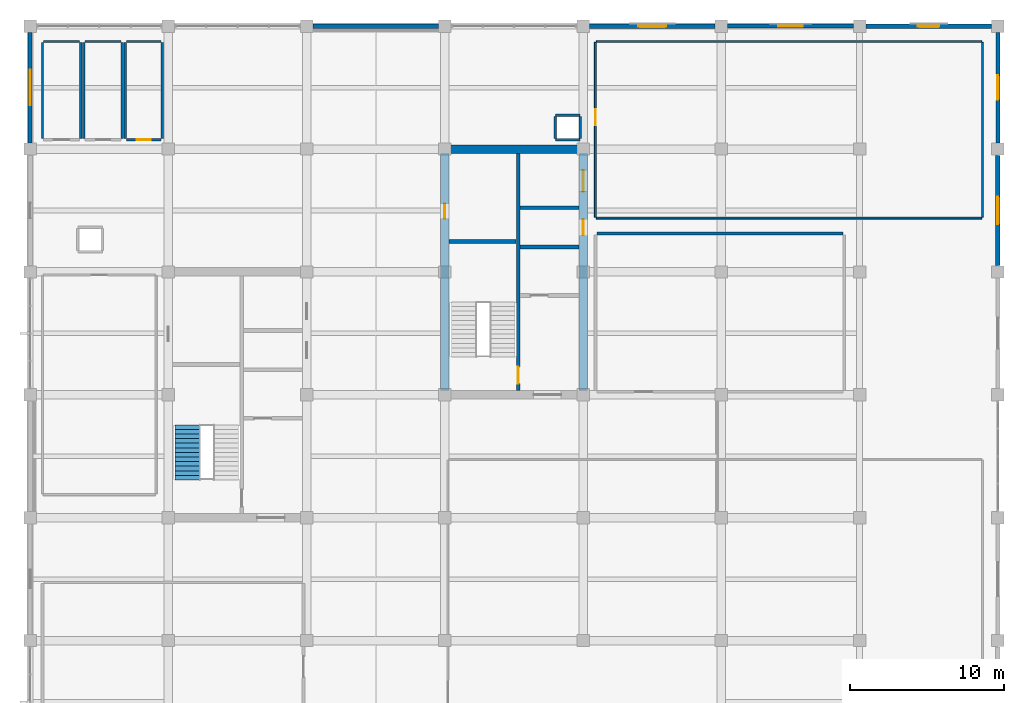
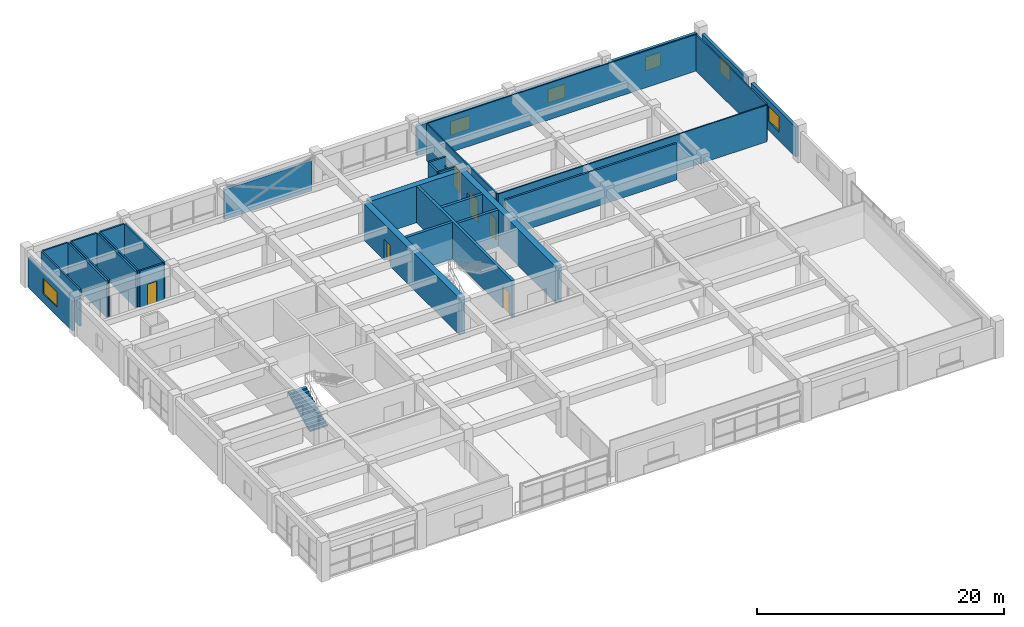
# One storey, part 14 of 16: 33 walls, 6 doors, 6 windows, 1 stair flight, 12 openings, 1 element without a shape of its own.
"""IFC4 building model written with IfcOpenShell, lengths in metres."""

from ifc_helpers import new_model, si_unit, direction, frame, frame_2d, origin, place, context, subcontext, project, spatial, polyline, rectangle, outline, extrude, material, layer, layer_set, type_object, element, fill, aggregate, save


model = new_model("IFC4")

# Units and contexts
model_context = context("Model", 3, precision=1e-05, world=origin(), true_north=direction((0.0, 1.0)))
body_context = subcontext(model_context, "Body", "Model", "MODEL_VIEW")
ifc_project = project(units=[si_unit("LENGTHUNIT", "METRE"), si_unit("AREAUNIT", "SQUARE_METRE"), si_unit("VOLUMEUNIT", "CUBIC_METRE"), si_unit("PLANEANGLEUNIT", "RADIAN"), si_unit("MASSUNIT", "GRAM", prefix="KILO")], contexts=[model_context])

# Site, building, storey
site_placement = place(None, origin())
site = spatial("IfcSite", under=ifc_project, at=site_placement, CompositionType="ELEMENT")
building_placement = place(site_placement, origin())
building = spatial("IfcBuilding", under=site, at=building_placement, Name="Zaverband Oceanarium and Marine Research Institute", CompositionType="ELEMENT")
storey_placement = place(building_placement, frame((0.0, 0.0, 41.39990234375)))
storey = spatial("IfcBuildingStorey", under=building, at=storey_placement, Name="L10", CompositionType="ELEMENT", Elevation=41.39990234375)

# Wall
ifc_material_1 = material(Name="Concrete C50/60", Category="concrete")
ifc_layer_1 = layer(ifc_material_1, 0.550048828125, Name="Concrete C50/60")
ifc_layer_set_1 = layer_set([ifc_layer_1], Name="Concrete C50/60")
wall_type_1 = type_object("IfcWallType", Name="CW-01", PredefinedType="SHEAR", material=ifc_layer_set_1)
wall_1_placement = place(storey_placement, frame((36.27490234375, 104.0, 0.0), z_axis=(0.0, 0.0, 1.0), x_axis=(1.0, 0.0, 0.0)))
element("IfcWall", 1, at=wall_1_placement, inside=storey, type_object=wall_type_1, Name="Structural shear wall CW-01", PredefinedType="SHEAR", context=body_context, shape_type="SweptSolid", body=[
    extrude(rectangle(XDim=8.4501953125, YDim=0.550048828125, at=frame_2d((4.22509765625, 0.0))), origin(), (0.0, 0.0, 1.0), 3.6201171875),
])

# Wall, opening, door
wall_2_placement = place(storey_placement, frame((36.0, 88.27490234375, 0.0), z_axis=(0.0, 0.0, 1.0), x_axis=(0.0, 1.0, 0.0)))
wall_2 = element("IfcWall", 2, at=wall_2_placement, inside=storey, type_object=wall_type_1, Name="Structural shear wall CW-01", PredefinedType="SHEAR", context=body_context, shape_type="SweptSolid", body=[
    extrude(rectangle(XDim=15.4501953125, YDim=0.550048828125, at=frame_2d((7.72509765625, 0.0))), origin(), (0.0, 0.0, 1.0), 3.6201171875),
])
opening_1_placement = place(wall_2_placement, frame((11.199951171875, 0.0, 0.0)))
opening_1 = element("IfcOpeningElement", 3, at=opening_1_placement, cuts=wall_2, Name="Opening FD-03", PredefinedType="OPENING", context=body_context, shape_type="SweptSolid", body=[
    extrude(rectangle(XDim=0.949951171875, YDim=2.10009765625, at=frame_2d((0.47509765625, 1.050048828125))), frame((0.0, 0.287109375, 0.0), z_axis=(0.0, -1.0, 0.0), x_axis=(1.0, 0.0, 0.0)), (0.0, 0.0, 1.0), 0.573974609375),
])
ifc_material_2 = material(Name="Steel S355", Category="steel")
door_type_1 = type_object("IfcDoorType", Name="FD-03", OperationType="NOTDEFINED", PredefinedType="DOOR", material=ifc_material_2)
door_1_placement = place(opening_1_placement, origin())
door_1 = element("IfcDoor", 4, at=door_1_placement, inside=storey, type_object=door_type_1, Name="Service riser access fire door FD-03", OperationType="SINGLE_SWING_RIGHT", OverallHeight=2.10009765625, OverallWidth=0.949951171875, PredefinedType="DOOR", context=body_context, shape_type="SweptSolid", body=[
    extrude(rectangle(XDim=0.949951171875, YDim=2.10009765625, at=frame_2d((0.47509765625, 1.050048828125))), frame((0.0, 0.02490234375, 0.0), z_axis=(0.0, -1.0, 0.0), x_axis=(1.0, 0.0, 0.0)), (0.0, 0.0, 1.0), 0.050048828125),
])
fill(opening_1, door_1)

# Wall, openings, doors
wall_3_placement = place(storey_placement, frame((45.0, 88.27490234375, 0.0), z_axis=(0.0, 0.0, 1.0), x_axis=(0.0, 1.0, 0.0)))
wall_3 = element("IfcWall", 5, at=wall_3_placement, inside=storey, type_object=wall_type_1, Name="Structural shear wall CW-01", PredefinedType="SHEAR", context=body_context, shape_type="SweptSolid", body=[
    extrude(rectangle(XDim=15.4501953125, YDim=0.550048828125, at=frame_2d((7.72509765625, 0.0))), origin(), (0.0, 0.0, 1.0), 3.6201171875),
])
opening_2_placement = place(wall_3_placement, frame((10.10009765625, 0.0, 0.0)))
opening_2 = element("IfcOpeningElement", 6, at=opening_2_placement, cuts=wall_3, Name="Opening LD-02", PredefinedType="OPENING", context=body_context, shape_type="SweptSolid", body=[
    extrude(rectangle(XDim=1.050048828125, YDim=2.1201171875, at=frame_2d((0.52490234375, 1.06005859375))), frame((0.0, 0.287109375, 0.0), z_axis=(0.0, -1.0, 0.0), x_axis=(1.0, 0.0, 0.0)), (0.0, 0.0, 1.0), 0.573974609375),
])
opening_3_placement = place(wall_3_placement, frame((12.949951171875, 0.0, 0.0)))
opening_3 = element("IfcOpeningElement", 7, at=opening_3_placement, cuts=wall_3, Name="Opening LD-03", PredefinedType="OPENING", context=body_context, shape_type="SweptSolid", body=[
    extrude(rectangle(XDim=1.39990234375, YDim=2.199951171875, at=frame_2d((0.699951171875, 1.10009765625))), frame((0.0, 0.287109375, 0.0), z_axis=(0.0, -1.0, 0.0), x_axis=(1.0, 0.0, 0.0)), (0.0, 0.0, 1.0), 0.573974609375),
])
door_type_2 = type_object("IfcDoorType", Name="LD-02", OperationType="DOUBLE_DOOR_SLIDING", PredefinedType="DOOR", material=ifc_material_2)
door_2_placement = place(opening_2_placement, origin())
door_2 = element("IfcDoor", 8, at=door_2_placement, inside=storey, type_object=door_type_2, Name="Passenger lift sliding landing door LD-02", OperationType="DOUBLE_DOOR_SLIDING", OverallHeight=2.1201171875, OverallWidth=1.050048828125, PredefinedType="DOOR", context=body_context, shape_type="SweptSolid", body=[
    extrude(rectangle(XDim=1.050048828125, YDim=2.1201171875, at=frame_2d((0.52490234375, 1.06005859375))), frame((0.0, 0.02490234375, 0.0), z_axis=(0.0, -1.0, 0.0), x_axis=(1.0, 0.0, 0.0)), (0.0, 0.0, 1.0), 0.050048828125),
])
fill(opening_2, door_2)
door_type_3 = type_object("IfcDoorType", Name="LD-03", OperationType="DOUBLE_DOOR_SLIDING", PredefinedType="DOOR", material=ifc_material_2)
door_3_placement = place(opening_3_placement, origin())
door_3 = element("IfcDoor", 9, at=door_3_placement, inside=storey, type_object=door_type_3, Name="Specimen goods lift sliding landing door LD-03", OperationType="DOUBLE_DOOR_SLIDING", OverallHeight=2.199951171875, OverallWidth=1.39990234375, PredefinedType="DOOR", context=body_context, shape_type="SweptSolid", body=[
    extrude(rectangle(XDim=1.39990234375, YDim=2.199951171875, at=frame_2d((0.699951171875, 1.10009765625))), frame((0.0, 0.02490234375, 0.0), z_axis=(0.0, -1.0, 0.0), x_axis=(1.0, 0.0, 0.0)), (0.0, 0.0, 1.0), 0.050048828125),
])
fill(opening_3, door_3)

# Wall, opening, window
ifc_material_3 = material(Name="Concrete C40/50 precast", Category="concrete")
ifc_layer_2 = layer(ifc_material_3, 0.264892578125, Name="Concrete C40/50 precast")
ifc_layer_set_2 = layer_set([ifc_layer_2], Name="Concrete C40/50 precast")
wall_type_2 = type_object("IfcWallType", Name="EW-265", PredefinedType="STANDARD", material=ifc_layer_set_2)
wall_4_placement = place(storey_placement, frame((54.405029296875, 112.0, 0.0), z_axis=(0.0, 0.0, 1.0), x_axis=(1.0, 0.0, 0.0)))
wall_4 = element("IfcWall", 10, at=wall_4_placement, inside=storey, type_object=wall_type_2, Name="Exterior infill wall EW-265", PredefinedType="STANDARD", context=body_context, shape_type="SweptSolid", body=[
    extrude(rectangle(XDim=8.18994140625, YDim=0.264892578125, at=frame_2d((4.094970703125, 0.0))), origin(), (0.0, 0.0, 1.0), 2.9501953125),
])
opening_4_placement = place(wall_4_placement, frame((3.294921875, 0.0, 0.85009765625)))
opening_4 = element("IfcOpeningElement", 11, at=opening_4_placement, cuts=wall_4, Name="Opening WN-1600x1350", PredefinedType="OPENING", context=body_context, shape_type="SweptSolid", body=[
    extrude(rectangle(XDim=1.60009765625, YDim=1.35009765625, at=frame_2d((0.800048828125, 0.675048828125))), frame((0.0, 0.14453125, 0.0), z_axis=(0.0, -1.0, 0.0), x_axis=(1.0, 0.0, 0.0)), (0.0, 0.0, 1.0), 0.288818359375),
])
ifc_material_4 = material(Name="Thermally broken anodized aluminium and solar-control glass", Category="aluminium")
window_type_1 = type_object("IfcWindowType", Name="WN-1600x1350", PartitioningType="SINGLE_PANEL", PredefinedType="WINDOW", material=ifc_material_4)
window_1_placement = place(opening_4_placement, origin())
window_1 = element("IfcWindow", 12, at=window_1_placement, inside=storey, type_object=window_type_1, Name="Fixed / casement exterior window WN-1600x1350", OverallHeight=1.35009765625, OverallWidth=1.60009765625, PartitioningType="SINGLE_PANEL", PredefinedType="WINDOW", context=body_context, shape_type="SweptSolid", body=[
    extrude(rectangle(XDim=1.60009765625, YDim=1.35009765625, at=frame_2d((0.800048828125, 0.675048828125))), frame((0.0, 0.030029296875, 0.0), z_axis=(0.0, -1.0, 0.0), x_axis=(1.0, 0.0, 0.0)), (0.0, 0.0, 1.0), 0.06005859375),
])
fill(opening_4, window_1)

wall_5_placement = place(storey_placement, frame((9.0, 104.405029296875, 0.0), z_axis=(0.0, 0.0, 1.0), x_axis=(0.0, 1.0, 0.0)))
wall_5 = element("IfcWall", 13, at=wall_5_placement, inside=storey, type_object=wall_type_2, Name="Exterior infill wall EW-265", PredefinedType="STANDARD", context=body_context, shape_type="SweptSolid", body=[
    extrude(rectangle(XDim=7.18994140625, YDim=0.264892578125, at=frame_2d((3.594970703125, 0.0))), origin(), (0.0, 0.0, 1.0), 2.9501953125),
])
opening_5_placement = place(wall_5_placement, frame((2.445068359375, 0.0, 0.85009765625)))
opening_5 = element("IfcOpeningElement", 14, at=opening_5_placement, cuts=wall_5, Name="Opening WN-2300x1500", PredefinedType="OPENING", context=body_context, shape_type="SweptSolid", body=[
    extrude(rectangle(XDim=2.300048828125, YDim=1.5, at=frame_2d((1.14990234375, 0.75))), frame((0.0, 0.14453125, 0.0), z_axis=(0.0, -1.0, 0.0), x_axis=(1.0, 0.0, 0.0)), (0.0, 0.0, 1.0), 0.288818359375),
])
window_type_2 = type_object("IfcWindowType", Name="WN-2300x1500", PartitioningType="SINGLE_PANEL", PredefinedType="WINDOW", material=ifc_material_4)
window_2_placement = place(opening_5_placement, origin())
window_2 = element("IfcWindow", 15, at=window_2_placement, inside=storey, type_object=window_type_2, Name="Fixed / casement exterior window WN-2300x1500", OverallHeight=1.5, OverallWidth=2.300048828125, PartitioningType="SINGLE_PANEL", PredefinedType="WINDOW", context=body_context, shape_type="SweptSolid", body=[
    extrude(rectangle(XDim=2.300048828125, YDim=1.5, at=frame_2d((1.14990234375, 0.75))), frame((0.0, 0.030029296875, 0.0), z_axis=(0.0, -1.0, 0.0), x_axis=(1.0, 0.0, 0.0)), (0.0, 0.0, 1.0), 0.06005859375),
])
fill(opening_5, window_2)

wall_6_placement = place(storey_placement, frame((72.0, 104.405029296875, 0.0), z_axis=(0.0, 0.0, 1.0), x_axis=(0.0, 1.0, 0.0)))
wall_6 = element("IfcWall", 16, at=wall_6_placement, inside=storey, type_object=wall_type_2, Name="Exterior infill wall EW-265", PredefinedType="STANDARD", context=body_context, shape_type="SweptSolid", body=[
    extrude(rectangle(XDim=7.18994140625, YDim=0.264892578125, at=frame_2d((3.594970703125, 0.0))), origin(), (0.0, 0.0, 1.0), 2.9501953125),
])
opening_6_placement = place(wall_6_placement, frame((2.794921875, 0.0, 0.85009765625)))
opening_6 = element("IfcOpeningElement", 17, at=opening_6_placement, cuts=wall_6, Name="Opening WN-1600x1500", PredefinedType="OPENING", context=body_context, shape_type="SweptSolid", body=[
    extrude(rectangle(XDim=1.60009765625, YDim=1.5, at=frame_2d((0.800048828125, 0.75))), frame((0.0, 0.14453125, 0.0), z_axis=(0.0, -1.0, 0.0), x_axis=(1.0, 0.0, 0.0)), (0.0, 0.0, 1.0), 0.288818359375),
])
window_type_3 = type_object("IfcWindowType", Name="WN-1600x1500", PartitioningType="SINGLE_PANEL", PredefinedType="WINDOW", material=ifc_material_4)
window_3_placement = place(opening_6_placement, origin())
window_3 = element("IfcWindow", 18, at=window_3_placement, inside=storey, type_object=window_type_3, Name="Fixed / casement exterior window WN-1600x1500", OverallHeight=1.5, OverallWidth=1.60009765625, PartitioningType="SINGLE_PANEL", PredefinedType="WINDOW", context=body_context, shape_type="SweptSolid", body=[
    extrude(rectangle(XDim=1.60009765625, YDim=1.5, at=frame_2d((0.800048828125, 0.75))), frame((0.0, 0.030029296875, 0.0), z_axis=(0.0, -1.0, 0.0), x_axis=(1.0, 0.0, 0.0)), (0.0, 0.0, 1.0), 0.06005859375),
])
fill(opening_6, window_3)

# Wall
ifc_layer_3 = layer(ifc_material_3, 0.2900390625, Name="Concrete C40/50 precast")
ifc_layer_set_3 = layer_set([ifc_layer_3], Name="Concrete C40/50 precast")
wall_type_3 = type_object("IfcWallType", Name="EW-290", PredefinedType="STANDARD", material=ifc_layer_set_3)
wall_7_placement = place(storey_placement, frame((27.405029296875, 112.0, 0.0), z_axis=(0.0, 0.0, 1.0), x_axis=(1.0, 0.0, 0.0)))
element("IfcWall", 19, at=wall_7_placement, inside=storey, type_object=wall_type_3, Name="Exterior infill wall EW-290", PredefinedType="STANDARD", context=body_context, shape_type="SweptSolid", body=[
    extrude(rectangle(XDim=8.18994140625, YDim=0.2900390625, at=frame_2d((4.094970703125, 0.0))), origin(), (0.0, 0.0, 1.0), 2.9501953125),
])

# Wall, opening, window
wall_8_placement = place(storey_placement, frame((45.405029296875, 112.0, 0.0), z_axis=(0.0, 0.0, 1.0), x_axis=(1.0, 0.0, 0.0)))
wall_8 = element("IfcWall", 20, at=wall_8_placement, inside=storey, type_object=wall_type_3, Name="Exterior infill wall EW-290", PredefinedType="STANDARD", context=body_context, shape_type="SweptSolid", body=[
    extrude(rectangle(XDim=8.18994140625, YDim=0.2900390625, at=frame_2d((4.094970703125, 0.0))), origin(), (0.0, 0.0, 1.0), 2.9501953125),
])
opening_7_placement = place(wall_8_placement, frame((3.195068359375, 0.0, 0.85009765625)))
opening_7 = element("IfcOpeningElement", 21, at=opening_7_placement, cuts=wall_8, Name="Opening WN-1800x1350", PredefinedType="OPENING", context=body_context, shape_type="SweptSolid", body=[
    extrude(rectangle(XDim=1.800048828125, YDim=1.35009765625, at=frame_2d((0.89990234375, 0.675048828125))), frame((0.0, 0.156982421875, 0.0), z_axis=(0.0, -1.0, 0.0), x_axis=(1.0, 0.0, 0.0)), (0.0, 0.0, 1.0), 0.31396484375),
])
window_type_4 = type_object("IfcWindowType", Name="WN-1800x1350", PartitioningType="SINGLE_PANEL", PredefinedType="WINDOW", material=ifc_material_4)
window_4_placement = place(opening_7_placement, origin())
window_4 = element("IfcWindow", 22, at=window_4_placement, inside=storey, type_object=window_type_4, Name="Fixed / casement exterior window WN-1800x1350", OverallHeight=1.35009765625, OverallWidth=1.800048828125, PartitioningType="SINGLE_PANEL", PredefinedType="WINDOW", context=body_context, shape_type="SweptSolid", body=[
    extrude(rectangle(XDim=1.800048828125, YDim=1.35009765625, at=frame_2d((0.89990234375, 0.675048828125))), frame((0.0, 0.030029296875, 0.0), z_axis=(0.0, -1.0, 0.0), x_axis=(1.0, 0.0, 0.0)), (0.0, 0.0, 1.0), 0.06005859375),
])
fill(opening_7, window_4)

wall_9_placement = place(storey_placement, frame((63.405029296875, 112.0, 0.0), z_axis=(0.0, 0.0, 1.0), x_axis=(1.0, 0.0, 0.0)))
wall_9 = element("IfcWall", 23, at=wall_9_placement, inside=storey, type_object=wall_type_3, Name="Exterior infill wall EW-290", PredefinedType="STANDARD", context=body_context, shape_type="SweptSolid", body=[
    extrude(rectangle(XDim=8.18994140625, YDim=0.2900390625, at=frame_2d((4.094970703125, 0.0))), origin(), (0.0, 0.0, 1.0), 2.9501953125),
])
opening_8_placement = place(wall_9_placement, frame((3.39501953125, 0.0, 0.85009765625)))
opening_8 = element("IfcOpeningElement", 24, at=opening_8_placement, cuts=wall_9, Name="Opening WN-1400x1350", PredefinedType="OPENING", context=body_context, shape_type="SweptSolid", body=[
    extrude(rectangle(XDim=1.39990234375, YDim=1.35009765625, at=frame_2d((0.699951171875, 0.675048828125))), frame((0.0, 0.156982421875, 0.0), z_axis=(0.0, -1.0, 0.0), x_axis=(1.0, 0.0, 0.0)), (0.0, 0.0, 1.0), 0.31396484375),
])
window_type_5 = type_object("IfcWindowType", Name="WN-1400x1350", PartitioningType="SINGLE_PANEL", PredefinedType="WINDOW", material=ifc_material_4)
window_5_placement = place(opening_8_placement, origin())
window_5 = element("IfcWindow", 25, at=window_5_placement, inside=storey, type_object=window_type_5, Name="Fixed / casement exterior window WN-1400x1350", OverallHeight=1.35009765625, OverallWidth=1.39990234375, PartitioningType="SINGLE_PANEL", PredefinedType="WINDOW", context=body_context, shape_type="SweptSolid", body=[
    extrude(rectangle(XDim=1.39990234375, YDim=1.35009765625, at=frame_2d((0.699951171875, 0.675048828125))), frame((0.0, 0.030029296875, 0.0), z_axis=(0.0, -1.0, 0.0), x_axis=(1.0, 0.0, 0.0)), (0.0, 0.0, 1.0), 0.06005859375),
])
fill(opening_8, window_5)

wall_10_placement = place(storey_placement, frame((72.0, 96.405029296875, 0.0), z_axis=(0.0, 0.0, 1.0), x_axis=(0.0, 1.0, 0.0)))
wall_10 = element("IfcWall", 26, at=wall_10_placement, inside=storey, type_object=wall_type_3, Name="Exterior infill wall EW-290", PredefinedType="STANDARD", context=body_context, shape_type="SweptSolid", body=[
    extrude(rectangle(XDim=7.18994140625, YDim=0.2900390625, at=frame_2d((3.594970703125, 0.0))), origin(), (0.0, 0.0, 1.0), 2.9501953125),
])
opening_9_placement = place(wall_10_placement, frame((2.695068359375, 0.0, 0.85009765625)))
opening_9 = element("IfcOpeningElement", 27, at=opening_9_placement, cuts=wall_10, Name="Opening WN-1800x1500", PredefinedType="OPENING", context=body_context, shape_type="SweptSolid", body=[
    extrude(rectangle(XDim=1.800048828125, YDim=1.5, at=frame_2d((0.89990234375, 0.75))), frame((0.0, 0.156982421875, 0.0), z_axis=(0.0, -1.0, 0.0), x_axis=(1.0, 0.0, 0.0)), (0.0, 0.0, 1.0), 0.31396484375),
])
window_type_6 = type_object("IfcWindowType", Name="WN-1800x1500", PartitioningType="SINGLE_PANEL", PredefinedType="WINDOW", material=ifc_material_4)
window_6_placement = place(opening_9_placement, origin())
window_6 = element("IfcWindow", 28, at=window_6_placement, inside=storey, type_object=window_type_6, Name="Fixed / casement exterior window WN-1800x1500", OverallHeight=1.5, OverallWidth=1.800048828125, PartitioningType="SINGLE_PANEL", PredefinedType="WINDOW", context=body_context, shape_type="SweptSolid", body=[
    extrude(rectangle(XDim=1.800048828125, YDim=1.5, at=frame_2d((0.89990234375, 0.75))), frame((0.0, 0.030029296875, 0.0), z_axis=(0.0, -1.0, 0.0), x_axis=(1.0, 0.0, 0.0)), (0.0, 0.0, 1.0), 0.06005859375),
])
fill(opening_9, window_6)

# Walls
ifc_material_5 = material(Name="Insulated metal-stud office partition")
ifc_layer_4 = layer(ifc_material_5, 0.1201171875, Name="Insulated metal-stud office partition")
ifc_layer_set_4 = layer_set([ifc_layer_4], Name="Insulated metal-stud office partition")
wall_type_4 = type_object("IfcWallType", Name="PT-120-OF", PredefinedType="PARTITIONING", material=ifc_layer_set_4)
for number, where, z_axis, x_axis, name in (
    (29, (45.860107421875, 99.5, 0.0), (0.0, 0.0, 1.0), (1.0, 0.0, 0.0), "Internal partition PT-120-OF"),
    (30, (45.860107421875, 111.0, 0.0), (0.0, 0.0, 1.0), (1.0, 0.0, 0.0), "Internal partition PT-120-OF"),
):
    element("IfcWall", number, at=place(storey_placement, frame(where, z_axis=z_axis, x_axis=x_axis)), inside=storey, type_object=wall_type_4, Name=name, PredefinedType="PARTITIONING", context=body_context, shape_type="SweptSolid", body=[
        extrude(rectangle(XDim=25.079833984375, YDim=0.1201171875, at=frame_2d((12.5400390625, 0.0))), origin(), (0.0, 0.0, 1.0), 3.6201171875),
    ])

# Wall, opening, door
wall_11_placement = place(storey_placement, frame((45.800048828125, 99.56005859375, 0.0), z_axis=(0.0, 0.0, 1.0), x_axis=(0.0, 1.0, 0.0)))
wall_11 = element("IfcWall", 31, at=wall_11_placement, inside=storey, type_object=wall_type_4, Name="Internal partition PT-120-OF", PredefinedType="PARTITIONING", context=body_context, shape_type="SweptSolid", body=[
    extrude(rectangle(XDim=11.3798828125, YDim=0.1201171875, at=frame_2d((5.68994140625, 0.0))), origin(), (0.0, 0.0, 1.0), 3.6201171875),
])
opening_10_placement = place(wall_11_placement, frame((6.0, 0.0, 0.0)))
opening_10 = element("IfcOpeningElement", 32, at=opening_10_placement, cuts=wall_11, Name="Opening ID-1020x2100", PredefinedType="OPENING", context=body_context, shape_type="SweptSolid", body=[
    extrude(rectangle(XDim=1.02001953125, YDim=2.10009765625, at=frame_2d((0.510009765625, 1.050048828125))), frame((0.0, 0.072021484375, 0.0), z_axis=(0.0, -1.0, 0.0), x_axis=(1.0, 0.0, 0.0)), (0.0, 0.0, 1.0), 0.14404296875),
])
ifc_material_6 = material(Name="Hardwood-veneered acoustic timber", Category="wood")
door_type_4 = type_object("IfcDoorType", Name="ID-1020x2100", OperationType="NOTDEFINED", PredefinedType="DOOR", material=ifc_material_6)
door_4_placement = place(opening_10_placement, origin())
door_4 = element("IfcDoor", 33, at=door_4_placement, inside=storey, type_object=door_type_4, Name="Accessible WC outward-swing door ID-1020x2100", OperationType="SINGLE_SWING_RIGHT", OverallHeight=2.10009765625, OverallWidth=1.02001953125, PredefinedType="DOOR", context=body_context, shape_type="SweptSolid", body=[
    extrude(rectangle(XDim=1.02001953125, YDim=2.10009765625, at=frame_2d((0.510009765625, 1.050048828125))), frame((0.0, 0.02490234375, 0.0), z_axis=(0.0, -1.0, 0.0), x_axis=(1.0, 0.0, 0.0)), (0.0, 0.0, 1.0), 0.050048828125),
])
fill(opening_10, door_4)

# Walls
wall_12_placement = place(storey_placement, frame((71.0, 99.56005859375, 0.0), z_axis=(0.0, 0.0, 1.0), x_axis=(0.0, 1.0, 0.0)))
element("IfcWall", 34, at=wall_12_placement, inside=storey, type_object=wall_type_4, Name="Internal partition PT-120-OF", PredefinedType="PARTITIONING", context=body_context, shape_type="SweptSolid", body=[
    extrude(rectangle(XDim=11.3798828125, YDim=0.1201171875, at=frame_2d((5.68994140625, 0.0))), origin(), (0.0, 0.0, 1.0), 3.6201171875),
])
ifc_material_7 = material(Name="Ceramic-tiled wet-room blockwork", Category="masonry")
ifc_layer_5 = layer(ifc_material_7, 0.14990234375, Name="Ceramic-tiled wet-room blockwork")
ifc_layer_set_5 = layer_set([ifc_layer_5], Name="Ceramic-tiled wet-room blockwork")
wall_type_5 = type_object("IfcWallType", Name="PT-150-WC", PredefinedType="PARTITIONING", material=ifc_layer_set_5)
wall_13_placement = place(storey_placement, frame((9.875, 111.0, 0.0), z_axis=(0.0, 0.0, 1.0), x_axis=(1.0, 0.0, 0.0)))
element("IfcWall", 35, at=wall_13_placement, inside=storey, type_object=wall_type_5, Name="Internal partition PT-150-WC", PredefinedType="PARTITIONING", context=body_context, shape_type="SweptSolid", body=[
    extrude(rectangle(XDim=2.35009765625, YDim=0.14990234375, at=frame_2d((1.175048828125, 0.0))), origin(), (0.0, 0.0, 1.0), 3.6201171875),
])
for number, where, z_axis, x_axis, name in (
    (36, (9.800048828125, 104.675048828125, 0.0), (0.0, 0.0, 1.0), (0.0, 1.0, 0.0), "Internal partition PT-150-WC"),
    (37, (12.300048828125, 104.675048828125, 0.0), (0.0, 0.0, 1.0), (0.0, 1.0, 0.0), "Internal partition PT-150-WC"),
):
    element("IfcWall", number, at=place(storey_placement, frame(where, z_axis=z_axis, x_axis=x_axis)), inside=storey, type_object=wall_type_5, Name=name, PredefinedType="PARTITIONING", context=body_context, shape_type="SweptSolid", body=[
        extrude(rectangle(XDim=6.25, YDim=0.14990234375, at=frame_2d((3.125, 0.0))), origin(), (0.0, 0.0, 1.0), 3.6201171875),
    ])
wall_14_placement = place(storey_placement, frame((12.574951171875, 111.0, 0.0), z_axis=(0.0, 0.0, 1.0), x_axis=(1.0, 0.0, 0.0)))
element("IfcWall", 38, at=wall_14_placement, inside=storey, type_object=wall_type_5, Name="Internal partition PT-150-WC", PredefinedType="PARTITIONING", context=body_context, shape_type="SweptSolid", body=[
    extrude(rectangle(XDim=2.35009765625, YDim=0.14990234375, at=frame_2d((1.175048828125, 0.0))), origin(), (0.0, 0.0, 1.0), 3.6201171875),
])
for number, where, z_axis, x_axis, name in (
    (39, (12.5, 104.675048828125, 0.0), (0.0, 0.0, 1.0), (0.0, 1.0, 0.0), "Internal partition PT-150-WC"),
    (40, (15.0, 104.675048828125, 0.0), (0.0, 0.0, 1.0), (0.0, 1.0, 0.0), "Internal partition PT-150-WC"),
):
    element("IfcWall", number, at=place(storey_placement, frame(where, z_axis=z_axis, x_axis=x_axis)), inside=storey, type_object=wall_type_5, Name=name, PredefinedType="PARTITIONING", context=body_context, shape_type="SweptSolid", body=[
        extrude(rectangle(XDim=6.25, YDim=0.14990234375, at=frame_2d((3.125, 0.0))), origin(), (0.0, 0.0, 1.0), 3.6201171875),
    ])

# Wall, opening, door
wall_15_placement = place(storey_placement, frame((15.27490234375, 104.60009765625, 0.0), z_axis=(0.0, 0.0, 1.0), x_axis=(1.0, 0.0, 0.0)))
wall_15 = element("IfcWall", 41, at=wall_15_placement, inside=storey, type_object=wall_type_5, Name="Internal partition PT-150-WC", PredefinedType="PARTITIONING", context=body_context, shape_type="SweptSolid", body=[
    extrude(rectangle(XDim=2.25, YDim=0.14990234375, at=frame_2d((1.125, 0.0))), origin(), (0.0, 0.0, 1.0), 3.6201171875),
])
opening_11_placement = place(wall_15_placement, frame((0.679931640625, 0.0, 0.0)))
opening_11 = element("IfcOpeningElement", 42, at=opening_11_placement, cuts=wall_15, Name="Opening ID-890x2060", PredefinedType="OPENING", context=body_context, shape_type="SweptSolid", body=[
    extrude(rectangle(XDim=0.889892578125, YDim=2.06005859375, at=frame_2d((0.44482421875, 1.030029296875))), frame((0.0, 0.0869140625, 0.0), z_axis=(0.0, -1.0, 0.0), x_axis=(1.0, 0.0, 0.0)), (0.0, 0.0, 1.0), 0.173828125),
])
door_type_5 = type_object("IfcDoorType", Name="ID-890x2060", OperationType="NOTDEFINED", PredefinedType="DOOR", material=ifc_material_6)
door_5_placement = place(opening_11_placement, origin())
door_5 = element("IfcDoor", 43, at=door_5_placement, inside=storey, type_object=door_type_5, Name="Staff WC door ID-890x2060", OperationType="SINGLE_SWING_LEFT", OverallHeight=2.06005859375, OverallWidth=0.889892578125, PredefinedType="DOOR", context=body_context, shape_type="SweptSolid", body=[
    extrude(rectangle(XDim=0.889892578125, YDim=2.06005859375, at=frame_2d((0.44482421875, 1.030029296875))), frame((0.0, 0.02490234375, 0.0), z_axis=(0.0, -1.0, 0.0), x_axis=(1.0, 0.0, 0.0)), (0.0, 0.0, 1.0), 0.050048828125),
])
fill(opening_11, door_5)

# Walls
wall_16_placement = place(storey_placement, frame((15.27490234375, 111.0, 0.0), z_axis=(0.0, 0.0, 1.0), x_axis=(1.0, 0.0, 0.0)))
element("IfcWall", 44, at=wall_16_placement, inside=storey, type_object=wall_type_5, Name="Internal partition PT-150-WC", PredefinedType="PARTITIONING", context=body_context, shape_type="SweptSolid", body=[
    extrude(rectangle(XDim=2.25, YDim=0.14990234375, at=frame_2d((1.125, 0.0))), origin(), (0.0, 0.0, 1.0), 3.6201171875),
])
for number, where, z_axis, x_axis, name in (
    (45, (15.199951171875, 104.675048828125, 0.0), (0.0, 0.0, 1.0), (0.0, 1.0, 0.0), "Internal partition PT-150-WC"),
    (46, (17.60009765625, 104.675048828125, 0.0), (0.0, 0.0, 1.0), (0.0, 1.0, 0.0), "Internal partition PT-150-WC"),
):
    element("IfcWall", number, at=place(storey_placement, frame(where, z_axis=z_axis, x_axis=x_axis)), inside=storey, type_object=wall_type_5, Name=name, PredefinedType="PARTITIONING", context=body_context, shape_type="SweptSolid", body=[
        extrude(rectangle(XDim=6.25, YDim=0.14990234375, at=frame_2d((3.125, 0.0))), origin(), (0.0, 0.0, 1.0), 3.6201171875),
    ])
ifc_material_8 = material(Name="Corridor rated drywall partition")
ifc_layer_6 = layer(ifc_material_8, 0.1650390625, Name="Corridor rated drywall partition")
ifc_layer_set_6 = layer_set([ifc_layer_6], Name="Corridor rated drywall partition")
wall_type_6 = type_object("IfcWallType", Name="PT-165-CR", PredefinedType="PARTITIONING", material=ifc_layer_set_6)
for number, where, z_axis, x_axis, name in (
    (47, (43.199951171875, 104.60009765625, 0.0), (0.0, 0.0, 1.0), (1.0, 0.0, 0.0), "Internal partition PT-165-CR"),
    (48, (43.199951171875, 106.199951171875, 0.0), (0.0, 0.0, 1.0), (1.0, 0.0, 0.0), "Internal partition PT-165-CR"),
):
    element("IfcWall", number, at=place(storey_placement, frame(where, z_axis=z_axis, x_axis=x_axis)), inside=storey, type_object=wall_type_6, Name=name, PredefinedType="PARTITIONING", context=body_context, shape_type="SweptSolid", body=[
        extrude(rectangle(XDim=1.60009765625, YDim=0.1650390625, at=frame_2d((0.800048828125, 0.0))), origin(), (0.0, 0.0, 1.0), 3.6201171875),
    ])
wall_17_placement = place(storey_placement, frame((43.199951171875, 104.679931640625, 0.0), z_axis=(0.0, 0.0, 1.0), x_axis=(0.0, 1.0, 0.0)))
element("IfcWall", 49, at=wall_17_placement, inside=storey, type_object=wall_type_6, Name="Internal partition PT-165-CR", PredefinedType="PARTITIONING", context=body_context, shape_type="SweptSolid", body=[
    extrude(rectangle(XDim=1.440185546875, YDim=0.1650390625, at=frame_2d((0.72021484375, 0.0))), origin(), (0.0, 0.0, 1.0), 3.6201171875),
])
wall_18_placement = place(storey_placement, frame((44.800048828125, 104.679931640625, 0.0), z_axis=(0.0, 0.0, 1.0), x_axis=(0.0, 1.0, 0.0)))
element("IfcWall", 50, at=wall_18_placement, inside=storey, type_object=wall_type_6, Name="Internal partition PT-165-CR", PredefinedType="PARTITIONING", context=body_context, shape_type="SweptSolid", body=[
    extrude(rectangle(XDim=1.440185546875, YDim=0.1650390625, at=frame_2d((0.72021484375, 0.0))), origin(), (0.0, 0.0, 1.0), 2.820068359375),
])
ifc_material_9 = material(Name="Moisture-resistant laboratory blockwork", Category="masonry")
ifc_layer_7 = layer(ifc_material_9, 0.179931640625, Name="Moisture-resistant laboratory blockwork")
ifc_layer_set_7 = layer_set([ifc_layer_7], Name="Moisture-resistant laboratory blockwork")
wall_type_7 = type_object("IfcWallType", Name="PT-180-LB", PredefinedType="PARTITIONING", material=ifc_layer_set_7)
wall_19_placement = place(storey_placement, frame((45.889892578125, 98.5, 0.0), z_axis=(0.0, 0.0, 1.0), x_axis=(1.0, 0.0, 0.0)))
element("IfcWall", 51, at=wall_19_placement, inside=storey, type_object=wall_type_7, Name="Internal partition PT-180-LB", PredefinedType="PARTITIONING", context=body_context, shape_type="SweptSolid", body=[
    extrude(rectangle(XDim=16.02001953125, YDim=0.179931640625, at=frame_2d((8.010009765625, 0.0))), origin(), (0.0, 0.0, 1.0), 3.6201171875),
])

# Wall, opening, door
ifc_layer_8 = layer(ifc_material_1, 0.25, Name="Concrete C50/60")
ifc_layer_set_8 = layer_set([ifc_layer_8], Name="Concrete C50/60")
wall_type_8 = type_object("IfcWallType", Name="PW-CORE-250", PredefinedType="SOLIDWALL", material=ifc_layer_set_8)
wall_20_placement = place(storey_placement, frame((40.77490234375, 88.27490234375, 0.0), z_axis=(0.0, 0.0, 1.0), x_axis=(0.0, 1.0, 0.0)))
wall_20 = element("IfcWall", 52, at=wall_20_placement, inside=storey, type_object=wall_type_8, Name="Structural concrete wall PW-CORE-250", PredefinedType="SOLIDWALL", context=body_context, shape_type="SweptSolid", body=[
    extrude(rectangle(XDim=15.4501953125, YDim=0.25, at=frame_2d((7.72509765625, 0.0))), origin(), (0.0, 0.0, 1.0), 3.6201171875),
])
opening_12_placement = place(wall_20_placement, frame((0.449951171875, 0.0, 0.0)))
opening_12 = element("IfcOpeningElement", 53, at=opening_12_placement, cuts=wall_20, Name="Opening FD-01", PredefinedType="OPENING", context=body_context, shape_type="SweptSolid", body=[
    extrude(rectangle(XDim=1.10009765625, YDim=2.14990234375, at=frame_2d((0.550048828125, 1.074951171875))), frame((0.0, 0.136962890625, 0.0), z_axis=(0.0, -1.0, 0.0), x_axis=(1.0, 0.0, 0.0)), (0.0, 0.0, 1.0), 0.27392578125),
])
door_type_6 = type_object("IfcDoorType", Name="FD-01", OperationType="NOTDEFINED", PredefinedType="DOOR", material=ifc_material_2)
door_6_placement = place(opening_12_placement, origin())
door_6 = element("IfcDoor", 54, at=door_6_placement, inside=storey, type_object=door_type_6, Name="Core stair / lobby fire door FD-01", OperationType="SINGLE_SWING_LEFT", OverallHeight=2.14990234375, OverallWidth=1.10009765625, PredefinedType="DOOR", context=body_context, shape_type="SweptSolid", body=[
    extrude(rectangle(XDim=1.10009765625, YDim=2.14990234375, at=frame_2d((0.550048828125, 1.074951171875))), frame((0.0, 0.02490234375, 0.0), z_axis=(0.0, -1.0, 0.0), x_axis=(1.0, 0.0, 0.0)), (0.0, 0.0, 1.0), 0.050048828125),
])
fill(opening_12, door_6)

# Walls
wall_21_placement = place(storey_placement, frame((36.27490234375, 97.97509765625, 0.0), z_axis=(0.0, 0.0, 1.0), x_axis=(1.0, 0.0, 0.0)))
element("IfcWall", 55, at=wall_21_placement, inside=storey, type_object=wall_type_8, Name="Structural concrete wall PW-CORE-250", PredefinedType="SOLIDWALL", context=body_context, shape_type="SweptSolid", body=[
    extrude(rectangle(XDim=4.3701171875, YDim=0.25, at=frame_2d((2.18505859375, 0.0))), origin(), (0.0, 0.0, 1.0), 3.6201171875),
])
for number, where, z_axis, x_axis, name in (
    (56, (40.905029296875, 97.6298828125, 0.0), (0.0, 0.0, 1.0), (1.0, 0.0, 0.0), "Structural concrete wall PW-CORE-250"),
    (57, (40.905029296875, 100.179931640625, 0.0), (0.0, 0.0, 1.0), (1.0, 0.0, 0.0), "Structural concrete wall PW-CORE-250"),
):
    element("IfcWall", number, at=place(storey_placement, frame(where, z_axis=z_axis, x_axis=x_axis)), inside=storey, type_object=wall_type_8, Name=name, PredefinedType="SOLIDWALL", context=body_context, shape_type="SweptSolid", body=[
        extrude(rectangle(XDim=3.820068359375, YDim=0.25, at=frame_2d((1.91015625, 0.0))), origin(), (0.0, 0.0, 1.0), 3.6201171875),
    ])

# Stair, stair flight
ifc_material_10 = material(Name="Concrete C40/50", Category="concrete")
stair_type = type_object("IfcStairType", Name="STR-TWR-1650-3900", PredefinedType="HALF_TURN_STAIR", material=ifc_material_10)
stair_placement = place(storey_placement, origin())
stair = element("IfcStair", 58, at=stair_placement, inside=storey, type_object=stair_type, Name="Exit Stair ST-01 (L10)", PredefinedType="HALF_TURN_STAIR")
stair_flight_type = type_object("IfcStairFlightType", Name="STR-TWR-1650-3900-FL", PredefinedType="STRAIGHT", material=ifc_material_10)
stair_flight_placement = place(storey_placement, frame((19.2548828125, 82.449951171875, 0.0), z_axis=(0.0, 0.0, 1.0), x_axis=(0.0, 1.0, 0.0)))
stair_flight = element("IfcStairFlight", 59, at=stair_flight_placement, type_object=stair_flight_type, Name="Reinforced concrete stair flight ST-01-F1", NumberOfRisers=13, NumberOfTreads=12, PredefinedType="STRAIGHT", RiserHeight=0.15, TreadLength=0.3, context=body_context, shape_type="SweptSolid", body=[
    extrude(outline(polyline([(0.0, 0.0), (0.0, 0.14990234375), (0.300048828125, 0.14990234375), (0.300048828125, 0.300048828125), (0.60009765625, 0.300048828125), (0.60009765625, 0.449951171875), (0.89990234375, 0.449951171875), (0.89990234375, 0.60009765625), (1.199951171875, 0.60009765625), (1.199951171875, 0.75), (1.5, 0.75), (1.5, 0.89990234375), (1.800048828125, 0.89990234375), (1.800048828125, 1.050048828125), (2.10009765625, 1.050048828125), (2.10009765625, 1.199951171875), (2.39990234375, 1.199951171875), (2.39990234375, 1.35009765625), (2.699951171875, 1.35009765625), (2.699951171875, 1.5), (3.0, 1.5), (3.0, 1.64990234375), (3.300048828125, 1.64990234375), (3.300048828125, 1.800048828125), (3.60009765625, 1.800048828125), (3.60009765625, 1.949951171875), (3.60009765625, 1.598876953125), (0.40234375, 0.0), (0.0, 0.0)])), frame((0.0, 0.824951171875, 0.0), z_axis=(0.0, -1.0, 0.0), x_axis=(1.0, 0.0, 0.0)), (0.0, 0.0, 1.0), 1.64990234375),
])
aggregate(stair, [stair_flight])

save(model, "model.ifc")
